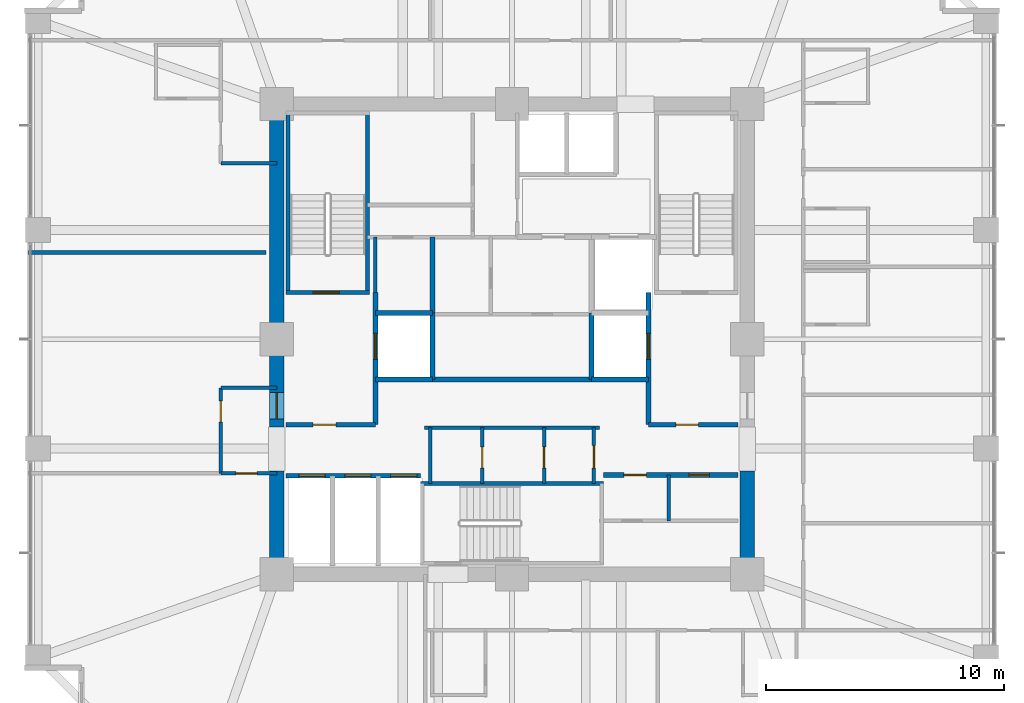
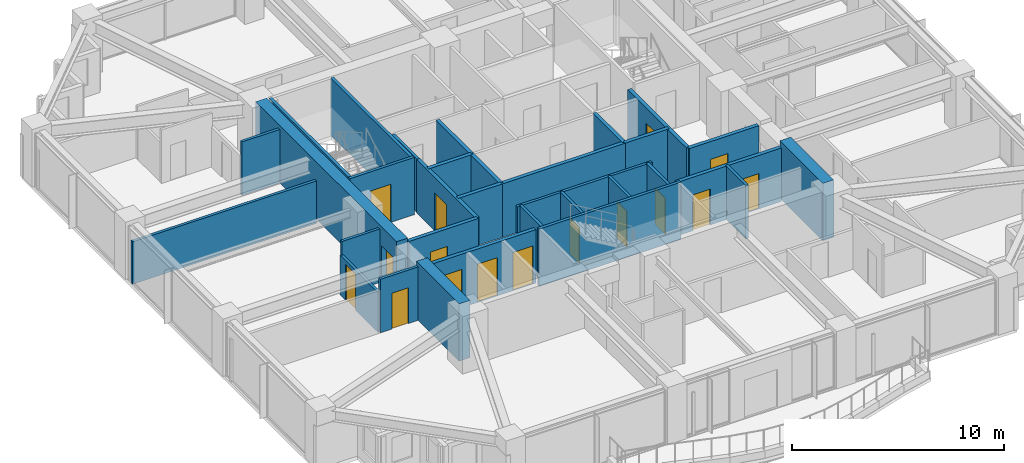
# One storey, part 33 of 38: 32 walls, 16 doors, 16 openings.
"""IFC4 building model written with IfcOpenShell, lengths in metres."""

from ifc_helpers import new_model, si_unit, direction, frame, frame_2d, origin, place, context, subcontext, project, spatial, rectangle, extrude, material, layer, layer_set, type_object, element, fill, save


model = new_model("IFC4")

# Units and contexts
model_context = context("Model", 3, precision=1e-05, world=origin(), true_north=direction((0.0, 1.0)))
body_context = subcontext(model_context, "Body", "Model", "MODEL_VIEW")
ifc_project = project(units=[si_unit("LENGTHUNIT", "METRE"), si_unit("AREAUNIT", "SQUARE_METRE"), si_unit("VOLUMEUNIT", "CUBIC_METRE"), si_unit("PLANEANGLEUNIT", "RADIAN"), si_unit("MASSUNIT", "GRAM", prefix="KILO")], contexts=[model_context])

# Site, building, storey
site_placement = place(None, origin())
site = spatial("IfcSite", under=ifc_project, at=site_placement, CompositionType="ELEMENT")
building_placement = place(site_placement, origin())
building = spatial("IfcBuilding", under=site, at=building_placement, Name="Kolvaren Belvedere", CompositionType="ELEMENT")
storey_placement = place(building_placement, frame((0.0, 0.0, 98.60009765625)))
storey = spatial("IfcBuildingStorey", under=building, at=storey_placement, Name="L28", CompositionType="ELEMENT", Elevation=98.60009765625)

# Walls
ifc_material_1 = material(Name="Concrete C60/75", Category="concrete")
ifc_layer_1 = layer(ifc_material_1, 0.60009765625)
ifc_layer_set_1 = layer_set([ifc_layer_1], Name="Concrete C60/75")
wall_type_1 = type_object("IfcWallType", Name="CW-CORE-600", PredefinedType="SHEAR", material=ifc_layer_set_1)
for number, where, z_axis, x_axis, name in (
    (1, (-9.89990234375, -9.60009765625, 0.0), (0.0, 0.0, 1.0), (0.0, 1.0, 0.0), "L28 West Core Shear Wall 1"),
    (2, (9.89990234375, -9.60009765625, 0.0), (0.0, 0.0, 1.0), (0.0, 1.0, 0.0), "L28 East Core Shear Wall 1"),
):
    element("IfcWall", number, at=place(storey_placement, frame(where, z_axis=z_axis, x_axis=x_axis)), inside=storey, type_object=wall_type_1, Name=name, PredefinedType="SHEAR", context=body_context, shape_type="SweptSolid", body=[
        extrude(rectangle(XDim=4.050048828125, YDim=0.60009765625, at=frame_2d((2.02490234375, 0.0))), origin(), (0.0, 0.0, 1.0), 3.2998046875),
    ])

# Wall, opening, door
wall_1_placement = place(storey_placement, frame((-9.89990234375, -3.699951171875, 0.0), z_axis=(0.0, 0.0, 1.0), x_axis=(0.0, 1.0, 0.0)))
wall_1 = element("IfcWall", 3, at=wall_1_placement, inside=storey, type_object=wall_type_1, Name="L28 West Core Shear Wall 2", PredefinedType="SHEAR", context=body_context, shape_type="SweptSolid", body=[
    extrude(rectangle(XDim=13.300048828125, YDim=0.60009765625, at=frame_2d((6.64990234375, 0.0))), origin(), (0.0, 0.0, 1.0), 3.2998046875),
])
opening_1_placement = place(wall_1_placement, frame((0.35009765625, 0.0, 0.0)))
opening_1 = element("IfcOpeningElement", 4, at=opening_1_placement, cuts=wall_1, Name="Opening D-FD90", PredefinedType="OPENING", context=body_context, shape_type="SweptSolid", body=[
    extrude(rectangle(XDim=1.10009765625, YDim=2.199951171875, at=frame_2d((0.550048828125, 1.10009765625))), frame((0.0, 0.31005859375, 0.0), z_axis=(0.0, -1.0, 0.0), x_axis=(1.0, 0.0, 0.0)), (0.0, 0.0, 1.0), 0.6201171875),
])
ifc_material_2 = material(Name="Painted hollow stainless steel", Category="steel")
door_type_1 = type_object("IfcDoorType", Name="DR-FD90-1100", OperationType="NOTDEFINED", PredefinedType="DOOR", material=ifc_material_2)
door_1_placement = place(opening_1_placement, origin())
door_1 = element("IfcDoor", 5, at=door_1_placement, inside=storey, type_object=door_type_1, Name="L28 West Firefighting Lobby Fire Door", OperationType="SINGLE_SWING_LEFT", OverallHeight=2.199951171875, OverallWidth=1.10009765625, PredefinedType="DOOR", context=body_context, shape_type="SweptSolid", body=[
    extrude(rectangle(XDim=1.10009765625, YDim=2.199951171875, at=frame_2d((0.550048828125, 1.10009765625))), frame((0.0, 0.02490234375, 0.0), z_axis=(0.0, -1.0, 0.0), x_axis=(1.0, 0.0, 0.0)), (0.0, 0.0, 1.0), 0.050048828125),
])
fill(opening_1, door_1)

ifc_material_3 = material(Name="Concrete C50/60", Category="concrete")
ifc_layer_2 = layer(ifc_material_3, 0.159912109375)
ifc_layer_set_2 = layer_set([ifc_layer_2], Name="Concrete C50/60")
wall_type_2 = type_object("IfcWallType", Name="CW-STAIR-160", PredefinedType="SHEAR", material=ifc_layer_set_2)
wall_2_placement = place(storey_placement, frame((-9.52001953125, 1.969970703125, 0.0), z_axis=(0.0, 0.0, 1.0), x_axis=(1.0, 0.0, 0.0)))
wall_2 = element("IfcWall", 6, at=wall_2_placement, inside=storey, type_object=wall_type_2, Name="L28 Stair ST-1 South Shear Wall", PredefinedType="SHEAR", context=body_context, shape_type="SweptSolid", body=[
    extrude(rectangle(XDim=3.52001953125, YDim=0.159912109375, at=frame_2d((1.760009765625, 0.0))), origin(), (0.0, 0.0, 1.0), 3.2998046875),
])
opening_2_placement = place(wall_2_placement, frame((1.14990234375, 0.0, 0.0)))
opening_2 = element("IfcOpeningElement", 7, at=opening_2_placement, cuts=wall_2, Name="Opening D-FD90", PredefinedType="OPENING", context=body_context, shape_type="SweptSolid", body=[
    extrude(rectangle(XDim=1.10009765625, YDim=2.199951171875, at=frame_2d((0.550048828125, 1.10009765625))), frame((0.0, 0.08984375, 0.0), z_axis=(0.0, -1.0, 0.0), x_axis=(1.0, 0.0, 0.0)), (0.0, 0.0, 1.0), 0.179931640625),
])
door_2_placement = place(opening_2_placement, origin())
door_2 = element("IfcDoor", 8, at=door_2_placement, inside=storey, type_object=door_type_1, Name="L28 Stair ST-1 Fire Door", OperationType="SINGLE_SWING_LEFT", OverallHeight=2.199951171875, OverallWidth=1.10009765625, PredefinedType="DOOR", context=body_context, shape_type="SweptSolid", body=[
    extrude(rectangle(XDim=1.10009765625, YDim=2.199951171875, at=frame_2d((0.550048828125, 1.10009765625))), frame((0.0, 0.02490234375, 0.0), z_axis=(0.0, -1.0, 0.0), x_axis=(1.0, 0.0, 0.0)), (0.0, 0.0, 1.0), 0.050048828125),
])
fill(opening_2, door_2)

# Walls
for number, where, z_axis, x_axis, name in (
    (9, (-9.429931640625, 1.969970703125, 0.0), (0.0, 0.0, 1.0), (0.0, 1.0, 0.0), "L28 Stair ST-1 West Shear Wall"),
    (10, (-6.080078125, 1.969970703125, 0.0), (0.0, 0.0, 1.0), (0.0, 1.0, 0.0), "L28 Stair ST-1 East Shear Wall"),
):
    element("IfcWall", number, at=place(storey_placement, frame(where, z_axis=z_axis, x_axis=x_axis)), inside=storey, type_object=wall_type_2, Name=name, PredefinedType="SHEAR", context=body_context, shape_type="SweptSolid", body=[
        extrude(rectangle(XDim=7.56005859375, YDim=0.159912109375, at=frame_2d((3.780029296875, 0.0))), origin(), (0.0, 0.0, 1.0), 3.2998046875),
    ])
wall_3_placement = place(storey_placement, frame((-3.860107421875, -6.080078125, 0.0), z_axis=(0.0, 0.0, 1.0), x_axis=(1.0, 0.0, 0.0)))
element("IfcWall", 11, at=wall_3_placement, inside=storey, type_object=wall_type_2, Name="L28 Stair ST-3 North Shear Wall", PredefinedType="SHEAR", context=body_context, shape_type="SweptSolid", body=[
    extrude(rectangle(XDim=7.72021484375, YDim=0.159912109375, at=frame_2d((3.860107421875, 0.0))), origin(), (0.0, 0.0, 1.0), 3.2998046875),
])
ifc_material_4 = material(Name="Gypsum fire-rated partition assembly", Category="gypsum")
ifc_layer_3 = layer(ifc_material_4, 0.14990234375)
ifc_layer_set_3 = layer_set([ifc_layer_3], Name="Gypsum fire-rated partition assembly")
wall_type_3 = type_object("IfcWallType", Name="WL-CORR-150", PredefinedType="PARTITIONING", material=ifc_layer_set_3)
wall_4_placement = place(storey_placement, frame((-12.260009765625, 7.39990234375, 0.0), z_axis=(0.0, 0.0, 1.0), x_axis=(1.0, 0.0, 0.0)))
element("IfcWall", 12, at=wall_4_placement, inside=storey, type_object=wall_type_3, Name="L28 NW Core Closure Wall", PredefinedType="PARTITIONING", context=body_context, shape_type="SweptSolid", body=[
    extrude(rectangle(XDim=2.360107421875, YDim=0.14990234375, at=frame_2d((1.18017578125, 0.0))), origin(), (0.0, 0.0, 1.0), 3.079833984375),
])

# Wall, opening, door
wall_5_placement = place(storey_placement, frame((-12.260009765625, -5.64990234375, 0.0), z_axis=(0.0, 0.0, 1.0), x_axis=(0.0, 1.0, 0.0)))
wall_5 = element("IfcWall", 13, at=wall_5_placement, inside=storey, type_object=wall_type_3, Name="L28 West FSAE Pocket Wall", PredefinedType="PARTITIONING", context=body_context, shape_type="SweptSolid", body=[
    extrude(rectangle(XDim=3.599853515625, YDim=0.14990234375, at=frame_2d((1.7998046875, 0.0))), origin(), (0.0, 0.0, 1.0), 2.2919921875),
])
opening_3_placement = place(wall_5_placement, frame((2.15625, 0.0, 0.0)))
opening_3 = element("IfcOpeningElement", 14, at=opening_3_placement, cuts=wall_5, Name="Opening D-INT90", PredefinedType="OPENING", context=body_context, shape_type="SweptSolid", body=[
    extrude(rectangle(XDim=0.89990234375, YDim=2.06005859375, at=frame_2d((0.449951171875, 1.030029296875))), frame((0.0, 0.0849609375, 0.0), z_axis=(0.0, -1.0, 0.0), x_axis=(1.0, 0.0, 0.0)), (0.0, 0.0, 1.0), 0.169921875),
])
ifc_material_5 = material(Name="Stained Pacific white oak", Category="timber")
door_type_2 = type_object("IfcDoorType", Name="DR-INT-900", OperationType="NOTDEFINED", PredefinedType="DOOR", material=ifc_material_5)
door_3_placement = place(opening_3_placement, origin())
door_3 = element("IfcDoor", 15, at=door_3_placement, inside=storey, type_object=door_type_2, Name="L28 Lounge 2810 Door", OperationType="SINGLE_SWING_RIGHT", OverallHeight=2.06005859375, OverallWidth=0.89990234375, PredefinedType="DOOR", context=body_context, shape_type="SweptSolid", body=[
    extrude(rectangle(XDim=0.89990234375, YDim=2.06005859375, at=frame_2d((0.449951171875, 1.030029296875))), frame((0.0, 0.02490234375, 0.0), z_axis=(0.0, -1.0, 0.0), x_axis=(1.0, 0.0, 0.0)), (0.0, 0.0, 1.0), 0.050048828125),
])
fill(opening_3, door_3)

# Wall
wall_6_placement = place(storey_placement, frame((-12.260009765625, -2.050048828125, 0.0), z_axis=(0.0, 0.0, 1.0), x_axis=(1.0, 0.0, 0.0)))
element("IfcWall", 16, at=wall_6_placement, inside=storey, type_object=wall_type_3, Name="L28 West Pocket North Closure Wall", PredefinedType="PARTITIONING", context=body_context, shape_type="SweptSolid", body=[
    extrude(rectangle(XDim=2.360107421875, YDim=0.14990234375, at=frame_2d((1.18017578125, 0.0))), origin(), (0.0, 0.0, 1.0), 3.079833984375),
])

# Wall, opening, door
wall_7_placement = place(storey_placement, frame((-12.260009765625, -5.64990234375, 0.0), z_axis=(0.0, 0.0, 1.0), x_axis=(1.0, 0.0, 0.0)))
wall_7 = element("IfcWall", 17, at=wall_7_placement, inside=storey, type_object=wall_type_3, Name="L28 West Pocket South Closure Wall", PredefinedType="PARTITIONING", context=body_context, shape_type="SweptSolid", body=[
    extrude(rectangle(XDim=2.360107421875, YDim=0.14990234375, at=frame_2d((1.18017578125, 0.0))), origin(), (0.0, 0.0, 1.0), 3.079833984375),
])
opening_4_placement = place(wall_7_placement, frame((0.631591796875, 0.0, 0.0)))
opening_4 = element("IfcOpeningElement", 18, at=opening_4_placement, cuts=wall_7, Name="Opening D-INT90", PredefinedType="OPENING", context=body_context, shape_type="SweptSolid", body=[
    extrude(rectangle(XDim=0.89990234375, YDim=2.06005859375, at=frame_2d((0.449951171875, 1.030029296875))), frame((0.0, 0.0849609375, 0.0), z_axis=(0.0, -1.0, 0.0), x_axis=(1.0, 0.0, 0.0)), (0.0, 0.0, 1.0), 0.169921875),
])
door_4_placement = place(opening_4_placement, origin())
door_4 = element("IfcDoor", 19, at=door_4_placement, inside=storey, type_object=door_type_2, Name="L28 Lounge 2811 Door", OperationType="SINGLE_SWING_LEFT", OverallHeight=2.06005859375, OverallWidth=0.89990234375, PredefinedType="DOOR", context=body_context, shape_type="SweptSolid", body=[
    extrude(rectangle(XDim=0.89990234375, YDim=2.06005859375, at=frame_2d((0.449951171875, 1.030029296875))), frame((0.0, 0.02490234375, 0.0), z_axis=(0.0, -1.0, 0.0), x_axis=(1.0, 0.0, 0.0)), (0.0, 0.0, 1.0), 0.050048828125),
])
fill(opening_4, door_4)

# Walls
ifc_material_6 = material(Name="Gypsum acoustic partition assembly", Category="gypsum")
ifc_layer_4 = layer(ifc_material_6, 0.14990234375)
ifc_layer_set_4 = layer_set([ifc_layer_4], Name="Gypsum acoustic partition assembly")
wall_type_4 = type_object("IfcWallType", Name="WL-PART-150", PredefinedType="PARTITIONING", material=ifc_layer_set_4)
wall_8_placement = place(storey_placement, frame((6.60009765625, -7.64990234375, 0.0), z_axis=(0.0, 0.0, 1.0), x_axis=(0.0, 1.0, 0.0)))
element("IfcWall", 20, at=wall_8_placement, inside=storey, type_object=wall_type_4, Name="L28 SE Core V-Divider", PredefinedType="PARTITIONING", context=body_context, shape_type="SweptSolid", body=[
    extrude(rectangle(XDim=1.929931640625, YDim=0.14990234375, at=frame_2d((0.96484375, 0.0))), origin(), (0.0, 0.0, 1.0), 3.079833984375),
])
wall_9_placement = place(storey_placement, frame((-3.679931640625, -3.719970703125, 0.0), z_axis=(0.0, 0.0, 1.0), x_axis=(1.0, 0.0, 0.0)))
element("IfcWall", 21, at=wall_9_placement, inside=storey, type_object=wall_type_4, Name="L28 South Core Service North Wall", PredefinedType="PARTITIONING", context=body_context, shape_type="SweptSolid", body=[
    extrude(rectangle(XDim=7.35986328125, YDim=0.14990234375, at=frame_2d((3.679931640625, 0.0))), origin(), (0.0, 0.0, 1.0), 3.079833984375),
])

# Wall, opening, door
wall_10_placement = place(storey_placement, frame((3.449951171875, -6.080078125, 0.0), z_axis=(0.0, 0.0, 1.0), x_axis=(0.0, 1.0, 0.0)))
wall_10 = element("IfcWall", 22, at=wall_10_placement, inside=storey, type_object=wall_type_4, Name="L28 South Core Service East Wall", PredefinedType="PARTITIONING", context=body_context, shape_type="SweptSolid", body=[
    extrude(rectangle(XDim=2.360107421875, YDim=0.14990234375, at=frame_2d((1.18017578125, 0.0))), origin(), (0.0, 0.0, 1.0), 3.079833984375),
])
opening_5_placement = place(wall_10_placement, frame((0.64990234375, 0.0, 0.0)))
opening_5 = element("IfcOpeningElement", 23, at=opening_5_placement, cuts=wall_10, Name="Opening D-FD60", PredefinedType="OPENING", context=body_context, shape_type="SweptSolid", body=[
    extrude(rectangle(XDim=0.949951171875, YDim=2.06005859375, at=frame_2d((0.47509765625, 1.030029296875))), frame((0.0, 0.0849609375, 0.0), z_axis=(0.0, -1.0, 0.0), x_axis=(1.0, 0.0, 0.0)), (0.0, 0.0, 1.0), 0.169921875),
])
ifc_material_7 = material(Name="Acoustic white-oak fire door leaf", Category="timber")
door_type_3 = type_object("IfcDoorType", Name="DR-FD60-950", OperationType="NOTDEFINED", PredefinedType="DOOR", material=ifc_material_7)
door_5_placement = place(opening_5_placement, origin())
door_5 = element("IfcDoor", 24, at=door_5_placement, inside=storey, type_object=door_type_3, Name="L28 Core Service Room Door", OperationType="SINGLE_SWING_LEFT", OverallHeight=2.06005859375, OverallWidth=0.949951171875, PredefinedType="DOOR", context=body_context, shape_type="SweptSolid", body=[
    extrude(rectangle(XDim=0.949951171875, YDim=2.06005859375, at=frame_2d((0.47509765625, 1.030029296875))), frame((0.0, 0.02490234375, 0.0), z_axis=(0.0, -1.0, 0.0), x_axis=(1.0, 0.0, 0.0)), (0.0, 0.0, 1.0), 0.050048828125),
])
fill(opening_5, door_5)

# Wall
wall_11_placement = place(storey_placement, frame((-3.449951171875, -6.080078125, 0.0), z_axis=(0.0, 0.0, 1.0), x_axis=(0.0, 1.0, 0.0)))
element("IfcWall", 25, at=wall_11_placement, inside=storey, type_object=wall_type_4, Name="L28 South Core Service West Wall", PredefinedType="PARTITIONING", context=body_context, shape_type="SweptSolid", body=[
    extrude(rectangle(XDim=2.360107421875, YDim=0.14990234375, at=frame_2d((1.18017578125, 0.0))), origin(), (0.0, 0.0, 1.0), 3.079833984375),
])

# Wall, opening, door
wall_12_placement = place(storey_placement, frame((1.35009765625, -6.080078125, 0.0), z_axis=(0.0, 0.0, 1.0), x_axis=(0.0, 1.0, 0.0)))
wall_12 = element("IfcWall", 26, at=wall_12_placement, inside=storey, type_object=wall_type_4, Name="L28 Core Service Divider 1", PredefinedType="PARTITIONING", context=body_context, shape_type="SweptSolid", body=[
    extrude(rectangle(XDim=2.360107421875, YDim=0.14990234375, at=frame_2d((1.18017578125, 0.0))), origin(), (0.0, 0.0, 1.0), 3.079833984375),
])
opening_6_placement = place(wall_12_placement, frame((0.64990234375, 0.0, 0.0)))
opening_6 = element("IfcOpeningElement", 27, at=opening_6_placement, cuts=wall_12, Name="Opening D-INT90", PredefinedType="OPENING", context=body_context, shape_type="SweptSolid", body=[
    extrude(rectangle(XDim=0.89990234375, YDim=2.06005859375, at=frame_2d((0.449951171875, 1.030029296875))), frame((0.0, 0.0849609375, 0.0), z_axis=(0.0, -1.0, 0.0), x_axis=(1.0, 0.0, 0.0)), (0.0, 0.0, 1.0), 0.169921875),
])
door_6_placement = place(opening_6_placement, origin())
door_6 = element("IfcDoor", 28, at=door_6_placement, inside=storey, type_object=door_type_2, Name="L28 Data Closet Door", OperationType="SINGLE_SWING_RIGHT", OverallHeight=2.06005859375, OverallWidth=0.89990234375, PredefinedType="DOOR", context=body_context, shape_type="SweptSolid", body=[
    extrude(rectangle(XDim=0.89990234375, YDim=2.06005859375, at=frame_2d((0.449951171875, 1.030029296875))), frame((0.0, 0.02490234375, 0.0), z_axis=(0.0, -1.0, 0.0), x_axis=(1.0, 0.0, 0.0)), (0.0, 0.0, 1.0), 0.050048828125),
])
fill(opening_6, door_6)

wall_13_placement = place(storey_placement, frame((-1.25, -6.080078125, 0.0), z_axis=(0.0, 0.0, 1.0), x_axis=(0.0, 1.0, 0.0)))
wall_13 = element("IfcWall", 29, at=wall_13_placement, inside=storey, type_object=wall_type_4, Name="L28 Core Service Divider 2", PredefinedType="PARTITIONING", context=body_context, shape_type="SweptSolid", body=[
    extrude(rectangle(XDim=2.360107421875, YDim=0.14990234375, at=frame_2d((1.18017578125, 0.0))), origin(), (0.0, 0.0, 1.0), 3.079833984375),
])
opening_7_placement = place(wall_13_placement, frame((0.64990234375, 0.0, 0.0)))
opening_7 = element("IfcOpeningElement", 30, at=opening_7_placement, cuts=wall_13, Name="Opening D-INT90", PredefinedType="OPENING", context=body_context, shape_type="SweptSolid", body=[
    extrude(rectangle(XDim=0.89990234375, YDim=2.06005859375, at=frame_2d((0.449951171875, 1.030029296875))), frame((0.0, 0.0849609375, 0.0), z_axis=(0.0, -1.0, 0.0), x_axis=(1.0, 0.0, 0.0)), (0.0, 0.0, 1.0), 0.169921875),
])
door_7_placement = place(opening_7_placement, origin())
door_7 = element("IfcDoor", 31, at=door_7_placement, inside=storey, type_object=door_type_2, Name="L28 Janitor Room Door", OperationType="SINGLE_SWING_LEFT", OverallHeight=2.06005859375, OverallWidth=0.89990234375, PredefinedType="DOOR", context=body_context, shape_type="SweptSolid", body=[
    extrude(rectangle(XDim=0.89990234375, YDim=2.06005859375, at=frame_2d((0.449951171875, 1.030029296875))), frame((0.0, 0.02490234375, 0.0), z_axis=(0.0, -1.0, 0.0), x_axis=(1.0, 0.0, 0.0)), (0.0, 0.0, 1.0), 0.050048828125),
])
fill(opening_7, door_7)

# Walls
wall_14_placement = place(storey_placement, frame((-5.75, 1.969970703125, 0.0), z_axis=(0.0, 0.0, 1.0), x_axis=(0.0, 1.0, 0.0)))
element("IfcWall", 32, at=wall_14_placement, inside=storey, type_object=wall_type_4, Name="L28 NW Service Room West Wall", PredefinedType="PARTITIONING", context=body_context, shape_type="SweptSolid", body=[
    extrude(rectangle(XDim=2.330078125, YDim=0.14990234375, at=frame_2d((1.1650390625, 0.0))), origin(), (0.0, 0.0, 1.0), 3.079833984375),
])
wall_15_placement = place(storey_placement, frame((-20.3798828125, 3.64990234375, 0.0), z_axis=(0.0, 0.0, 1.0), x_axis=(1.0, 0.0, 0.0)))
element("IfcWall", 33, at=wall_15_placement, inside=storey, type_object=wall_type_4, Name="L28 West Upper Suite Divider", PredefinedType="PARTITIONING", context=body_context, shape_type="SweptSolid", body=[
    extrude(rectangle(XDim=10.019775390625, YDim=0.14990234375, at=frame_2d((5.009765625, 0.0))), origin(), (0.0, 0.0, 1.0), 2.448974609375),
])

# Wall, opening, door
ifc_material_8 = material(Name="Concrete C50/60", Category="concrete")
ifc_layer_5 = layer(ifc_material_8, 0.199951171875)
ifc_layer_set_5 = layer_set([ifc_layer_5], Name="Concrete C50/60")
wall_type_5 = type_object("IfcWallType", Name="WL-SHAFT-200", PredefinedType="SOLIDWALL", material=ifc_layer_set_5)
wall_16_placement = place(storey_placement, frame((-9.52001953125, -3.60009765625, 0.0), z_axis=(0.0, 0.0, 1.0), x_axis=(1.0, 0.0, 0.0)))
wall_16 = element("IfcWall", 34, at=wall_16_placement, inside=storey, type_object=wall_type_5, Name="L28 West FSAE Lobby South Wall", PredefinedType="SOLIDWALL", context=body_context, shape_type="SweptSolid", body=[
    extrude(rectangle(XDim=3.77001953125, YDim=0.199951171875, at=frame_2d((1.885009765625, 0.0))), origin(), (0.0, 0.0, 1.0), 3.079833984375),
])
opening_8_placement = place(wall_16_placement, frame((1.14990234375, 0.0, 0.0)))
opening_8 = element("IfcOpeningElement", 35, at=opening_8_placement, cuts=wall_16, Name="Opening D-FD60", PredefinedType="OPENING", context=body_context, shape_type="SweptSolid", body=[
    extrude(rectangle(XDim=0.949951171875, YDim=2.06005859375, at=frame_2d((0.47509765625, 1.030029296875))), frame((0.0, 0.10986328125, 0.0), z_axis=(0.0, -1.0, 0.0), x_axis=(1.0, 0.0, 0.0)), (0.0, 0.0, 1.0), 0.219970703125),
])
door_8_placement = place(opening_8_placement, origin())
door_8 = element("IfcDoor", 36, at=door_8_placement, inside=storey, type_object=door_type_3, Name="L28 Mid-Rise Lift Lobby Fire Door", OperationType="SINGLE_SWING_LEFT", OverallHeight=2.06005859375, OverallWidth=0.949951171875, PredefinedType="DOOR", context=body_context, shape_type="SweptSolid", body=[
    extrude(rectangle(XDim=0.949951171875, YDim=2.06005859375, at=frame_2d((0.47509765625, 1.030029296875))), frame((0.0, 0.02490234375, 0.0), z_axis=(0.0, -1.0, 0.0), x_axis=(1.0, 0.0, 0.0)), (0.0, 0.0, 1.0), 0.050048828125),
])
fill(opening_8, door_8)

wall_17_placement = place(storey_placement, frame((-5.75, -3.60009765625, 0.0), z_axis=(0.0, 0.0, 1.0), x_axis=(0.0, 1.0, 0.0)))
wall_17 = element("IfcWall", 37, at=wall_17_placement, inside=storey, type_object=wall_type_5, Name="L28 FSAE FS1 Landing Wall", PredefinedType="SOLIDWALL", context=body_context, shape_type="SweptSolid", body=[
    extrude(rectangle(XDim=5.570068359375, YDim=0.199951171875, at=frame_2d((2.78515625, 0.0))), origin(), (0.0, 0.0, 1.0), 3.079833984375),
])
opening_9_placement = place(wall_17_placement, frame((2.75, 0.0, 0.0)))
opening_9 = element("IfcOpeningElement", 38, at=opening_9_placement, cuts=wall_17, Name="Opening LD-11", PredefinedType="OPENING", context=body_context, shape_type="SweptSolid", body=[
    extrude(rectangle(XDim=1.10009765625, YDim=2.199951171875, at=frame_2d((0.550048828125, 1.10009765625))), frame((0.0, 0.10986328125, 0.0), z_axis=(0.0, -1.0, 0.0), x_axis=(1.0, 0.0, 0.0)), (0.0, 0.0, 1.0), 0.219970703125),
])
ifc_material_9 = material(Name="Brushed stainless steel", Category="steel")
door_type_4 = type_object("IfcDoorType", Name="DR-LIFT-1100", OperationType="DOUBLE_DOOR_SLIDING", PredefinedType="DOOR", material=ifc_material_9)
door_9_placement = place(opening_9_placement, origin())
door_9 = element("IfcDoor", 39, at=door_9_placement, inside=storey, type_object=door_type_4, Name="L28 Firefighting Lift FS1 Landing Door", OperationType="DOUBLE_DOOR_SLIDING", OverallHeight=2.199951171875, OverallWidth=1.10009765625, PredefinedType="DOOR", context=body_context, shape_type="SweptSolid", body=[
    extrude(rectangle(XDim=1.10009765625, YDim=2.199951171875, at=frame_2d((0.550048828125, 1.10009765625))), frame((0.0, 0.02490234375, 0.0), z_axis=(0.0, -1.0, 0.0), x_axis=(1.0, 0.0, 0.0)), (0.0, 0.0, 1.0), 0.050048828125),
])
fill(opening_9, door_9)

# Walls
wall_18_placement = place(storey_placement, frame((-3.35009765625, -1.699951171875, 0.0), z_axis=(0.0, 0.0, 1.0), x_axis=(0.0, 1.0, 0.0)))
element("IfcWall", 40, at=wall_18_placement, inside=storey, type_object=wall_type_5, Name="L28 FSAE FS1 Back Wall", PredefinedType="SOLIDWALL", context=body_context, shape_type="SweptSolid", body=[
    extrude(rectangle(XDim=2.800048828125, YDim=0.199951171875, at=frame_2d((1.39990234375, 0.0))), origin(), (0.0, 0.0, 1.0), 3.079833984375),
])
for number, where, z_axis, x_axis, name in (
    (41, (-5.75, -1.699951171875, 0.0), (0.0, 0.0, 1.0), (1.0, 0.0, 0.0), "L28 FSAE FS1 South Wall"),
    (42, (-5.75, 1.10009765625, 0.0), (0.0, 0.0, 1.0), (1.0, 0.0, 0.0), "L28 FSAE FS1 North Wall"),
):
    element("IfcWall", number, at=place(storey_placement, frame(where, z_axis=z_axis, x_axis=x_axis)), inside=storey, type_object=wall_type_5, Name=name, PredefinedType="SOLIDWALL", context=body_context, shape_type="SweptSolid", body=[
        extrude(rectangle(XDim=2.39990234375, YDim=0.199951171875, at=frame_2d((1.199951171875, 0.0))), origin(), (0.0, 0.0, 1.0), 3.079833984375),
    ])

# Wall, opening, door
wall_19_placement = place(storey_placement, frame((5.75, -3.60009765625, 0.0), z_axis=(0.0, 0.0, 1.0), x_axis=(1.0, 0.0, 0.0)))
wall_19 = element("IfcWall", 43, at=wall_19_placement, inside=storey, type_object=wall_type_5, Name="L28 East FSAE Lobby South Wall", PredefinedType="SOLIDWALL", context=body_context, shape_type="SweptSolid", body=[
    extrude(rectangle(XDim=3.77001953125, YDim=0.199951171875, at=frame_2d((1.885009765625, 0.0))), origin(), (0.0, 0.0, 1.0), 3.079833984375),
])
opening_10_placement = place(wall_19_placement, frame((1.14990234375, 0.0, 0.0)))
opening_10 = element("IfcOpeningElement", 44, at=opening_10_placement, cuts=wall_19, Name="Opening D-FD60", PredefinedType="OPENING", context=body_context, shape_type="SweptSolid", body=[
    extrude(rectangle(XDim=0.949951171875, YDim=2.06005859375, at=frame_2d((0.47509765625, 1.030029296875))), frame((0.0, 0.10986328125, 0.0), z_axis=(0.0, -1.0, 0.0), x_axis=(1.0, 0.0, 0.0)), (0.0, 0.0, 1.0), 0.219970703125),
])
door_10_placement = place(opening_10_placement, origin())
door_10 = element("IfcDoor", 45, at=door_10_placement, inside=storey, type_object=door_type_3, Name="L28 SE Lift Lobby Fire Door", OperationType="SINGLE_SWING_RIGHT", OverallHeight=2.06005859375, OverallWidth=0.949951171875, PredefinedType="DOOR", context=body_context, shape_type="SweptSolid", body=[
    extrude(rectangle(XDim=0.949951171875, YDim=2.06005859375, at=frame_2d((0.47509765625, 1.030029296875))), frame((0.0, 0.02490234375, 0.0), z_axis=(0.0, -1.0, 0.0), x_axis=(1.0, 0.0, 0.0)), (0.0, 0.0, 1.0), 0.050048828125),
])
fill(opening_10, door_10)

wall_20_placement = place(storey_placement, frame((5.75, -3.60009765625, 0.0), z_axis=(0.0, 0.0, 1.0), x_axis=(0.0, 1.0, 0.0)))
wall_20 = element("IfcWall", 46, at=wall_20_placement, inside=storey, type_object=wall_type_5, Name="L28 FSAE FS2 Landing Wall", PredefinedType="SOLIDWALL", context=body_context, shape_type="SweptSolid", body=[
    extrude(rectangle(XDim=5.570068359375, YDim=0.199951171875, at=frame_2d((2.78515625, 0.0))), origin(), (0.0, 0.0, 1.0), 3.079833984375),
])
opening_11_placement = place(wall_20_placement, frame((2.75, 0.0, 0.0)))
opening_11 = element("IfcOpeningElement", 47, at=opening_11_placement, cuts=wall_20, Name="Opening LD-11", PredefinedType="OPENING", context=body_context, shape_type="SweptSolid", body=[
    extrude(rectangle(XDim=1.10009765625, YDim=2.199951171875, at=frame_2d((0.550048828125, 1.10009765625))), frame((0.0, 0.10986328125, 0.0), z_axis=(0.0, -1.0, 0.0), x_axis=(1.0, 0.0, 0.0)), (0.0, 0.0, 1.0), 0.219970703125),
])
door_11_placement = place(opening_11_placement, origin())
door_11 = element("IfcDoor", 48, at=door_11_placement, inside=storey, type_object=door_type_4, Name="L28 Firefighting Lift FS2 Landing Door", OperationType="DOUBLE_DOOR_SLIDING", OverallHeight=2.199951171875, OverallWidth=1.10009765625, PredefinedType="DOOR", context=body_context, shape_type="SweptSolid", body=[
    extrude(rectangle(XDim=1.10009765625, YDim=2.199951171875, at=frame_2d((0.550048828125, 1.10009765625))), frame((0.0, 0.02490234375, 0.0), z_axis=(0.0, -1.0, 0.0), x_axis=(1.0, 0.0, 0.0)), (0.0, 0.0, 1.0), 0.050048828125),
])
fill(opening_11, door_11)

# Walls
wall_21_placement = place(storey_placement, frame((3.35009765625, -1.699951171875, 0.0), z_axis=(0.0, 0.0, 1.0), x_axis=(0.0, 1.0, 0.0)))
element("IfcWall", 49, at=wall_21_placement, inside=storey, type_object=wall_type_5, Name="L28 FSAE FS2 Back Wall", PredefinedType="SOLIDWALL", context=body_context, shape_type="SweptSolid", body=[
    extrude(rectangle(XDim=2.800048828125, YDim=0.199951171875, at=frame_2d((1.39990234375, 0.0))), origin(), (0.0, 0.0, 1.0), 3.079833984375),
])
wall_22_placement = place(storey_placement, frame((3.35009765625, -1.699951171875, 0.0), z_axis=(0.0, 0.0, 1.0), x_axis=(1.0, 0.0, 0.0)))
element("IfcWall", 50, at=wall_22_placement, inside=storey, type_object=wall_type_5, Name="L28 FSAE FS2 South Wall", PredefinedType="SOLIDWALL", context=body_context, shape_type="SweptSolid", body=[
    extrude(rectangle(XDim=2.39990234375, YDim=0.199951171875, at=frame_2d((1.199951171875, 0.0))), origin(), (0.0, 0.0, 1.0), 3.079833984375),
])

# Wall, openings, doors
wall_23_placement = place(storey_placement, frame((-9.52001953125, -5.75, 0.0), z_axis=(0.0, 0.0, 1.0), x_axis=(1.0, 0.0, 0.0)))
wall_23 = element("IfcWall", 51, at=wall_23_placement, inside=storey, type_object=wall_type_5, Name="L28 Mid-Rise Lift Bank Front Wall", PredefinedType="SOLIDWALL", context=body_context, shape_type="SweptSolid", body=[
    extrude(rectangle(XDim=5.659912109375, YDim=0.199951171875, at=frame_2d((2.830078125, 0.0))), origin(), (0.0, 0.0, 1.0), 3.079833984375),
])
opening_12_placement = place(wall_23_placement, frame((0.550048828125, 0.0, 0.0)))
opening_12 = element("IfcOpeningElement", 52, at=opening_12_placement, cuts=wall_23, Name="Opening LD-11", PredefinedType="OPENING", context=body_context, shape_type="SweptSolid", body=[
    extrude(rectangle(XDim=1.10009765625, YDim=2.199951171875, at=frame_2d((0.550048828125, 1.10009765625))), frame((0.0, 0.10986328125, 0.0), z_axis=(0.0, -1.0, 0.0), x_axis=(1.0, 0.0, 0.0)), (0.0, 0.0, 1.0), 0.219970703125),
])
opening_13_placement = place(wall_23_placement, frame((2.47998046875, 0.0, 0.0)))
opening_13 = element("IfcOpeningElement", 53, at=opening_13_placement, cuts=wall_23, Name="Opening LD-11", PredefinedType="OPENING", context=body_context, shape_type="SweptSolid", body=[
    extrude(rectangle(XDim=1.10009765625, YDim=2.199951171875, at=frame_2d((0.550048828125, 1.10009765625))), frame((0.0, 0.10986328125, 0.0), z_axis=(0.0, -1.0, 0.0), x_axis=(1.0, 0.0, 0.0)), (0.0, 0.0, 1.0), 0.219970703125),
])
opening_14_placement = place(wall_23_placement, frame((4.409912109375, 0.0, 0.0)))
opening_14 = element("IfcOpeningElement", 54, at=opening_14_placement, cuts=wall_23, Name="Opening LD-11", PredefinedType="OPENING", context=body_context, shape_type="SweptSolid", body=[
    extrude(rectangle(XDim=1.10009765625, YDim=2.199951171875, at=frame_2d((0.550048828125, 1.10009765625))), frame((0.0, 0.10986328125, 0.0), z_axis=(0.0, -1.0, 0.0), x_axis=(1.0, 0.0, 0.0)), (0.0, 0.0, 1.0), 0.219970703125),
])
door_12_placement = place(opening_12_placement, origin())
door_12 = element("IfcDoor", 55, at=door_12_placement, inside=storey, type_object=door_type_4, Name="L28 Passenger Lift P4 Landing Door", OperationType="DOUBLE_DOOR_SLIDING", OverallHeight=2.199951171875, OverallWidth=1.10009765625, PredefinedType="DOOR", context=body_context, shape_type="SweptSolid", body=[
    extrude(rectangle(XDim=1.10009765625, YDim=2.199951171875, at=frame_2d((0.550048828125, 1.10009765625))), frame((0.0, 0.02490234375, 0.0), z_axis=(0.0, -1.0, 0.0), x_axis=(1.0, 0.0, 0.0)), (0.0, 0.0, 1.0), 0.050048828125),
])
fill(opening_12, door_12)
door_13_placement = place(opening_13_placement, origin())
door_13 = element("IfcDoor", 56, at=door_13_placement, inside=storey, type_object=door_type_4, Name="L28 Passenger Lift P5 Landing Door", OperationType="DOUBLE_DOOR_SLIDING", OverallHeight=2.199951171875, OverallWidth=1.10009765625, PredefinedType="DOOR", context=body_context, shape_type="SweptSolid", body=[
    extrude(rectangle(XDim=1.10009765625, YDim=2.199951171875, at=frame_2d((0.550048828125, 1.10009765625))), frame((0.0, 0.02490234375, 0.0), z_axis=(0.0, -1.0, 0.0), x_axis=(1.0, 0.0, 0.0)), (0.0, 0.0, 1.0), 0.050048828125),
])
fill(opening_13, door_13)
door_14_placement = place(opening_14_placement, origin())
door_14 = element("IfcDoor", 57, at=door_14_placement, inside=storey, type_object=door_type_4, Name="L28 Passenger Lift P6 Landing Door", OperationType="DOUBLE_DOOR_SLIDING", OverallHeight=2.199951171875, OverallWidth=1.10009765625, PredefinedType="DOOR", context=body_context, shape_type="SweptSolid", body=[
    extrude(rectangle(XDim=1.10009765625, YDim=2.199951171875, at=frame_2d((0.550048828125, 1.10009765625))), frame((0.0, 0.02490234375, 0.0), z_axis=(0.0, -1.0, 0.0), x_axis=(1.0, 0.0, 0.0)), (0.0, 0.0, 1.0), 0.050048828125),
])
fill(opening_14, door_14)

wall_24_placement = place(storey_placement, frame((3.860107421875, -5.719970703125, 0.0), z_axis=(0.0, 0.0, 1.0), x_axis=(1.0, 0.0, 0.0)))
wall_24 = element("IfcWall", 58, at=wall_24_placement, inside=storey, type_object=wall_type_5, Name="L28 SE Core Distribution Wall", PredefinedType="SOLIDWALL", context=body_context, shape_type="SweptSolid", body=[
    extrude(rectangle(XDim=5.659912109375, YDim=0.199951171875, at=frame_2d((2.830078125, 0.0))), origin(), (0.0, 0.0, 1.0), 3.079833984375),
])
opening_15_placement = place(wall_24_placement, frame((0.85009765625, 0.0, 0.0)))
opening_15 = element("IfcOpeningElement", 59, at=opening_15_placement, cuts=wall_24, Name="Opening D-FD60", PredefinedType="OPENING", context=body_context, shape_type="SweptSolid", body=[
    extrude(rectangle(XDim=0.949951171875, YDim=2.06005859375, at=frame_2d((0.47509765625, 1.030029296875))), frame((0.0, 0.10986328125, 0.0), z_axis=(0.0, -1.0, 0.0), x_axis=(1.0, 0.0, 0.0)), (0.0, 0.0, 1.0), 0.219970703125),
])
opening_16_placement = place(wall_24_placement, frame((3.60009765625, 0.0, 0.0)))
opening_16 = element("IfcOpeningElement", 60, at=opening_16_placement, cuts=wall_24, Name="Opening D-INT85", PredefinedType="OPENING", context=body_context, shape_type="SweptSolid", body=[
    extrude(rectangle(XDim=0.85009765625, YDim=2.030029296875, at=frame_2d((0.425048828125, 1.01513671875))), frame((0.0, 0.10986328125, 0.0), z_axis=(0.0, -1.0, 0.0), x_axis=(1.0, 0.0, 0.0)), (0.0, 0.0, 1.0), 0.219970703125),
])
door_15_placement = place(opening_15_placement, origin())
door_15 = element("IfcDoor", 61, at=door_15_placement, inside=storey, type_object=door_type_3, Name="L28 SE Pantry Door", OperationType="SINGLE_SWING_RIGHT", OverallHeight=2.06005859375, OverallWidth=0.949951171875, PredefinedType="DOOR", context=body_context, shape_type="SweptSolid", body=[
    extrude(rectangle(XDim=0.949951171875, YDim=2.06005859375, at=frame_2d((0.47509765625, 1.030029296875))), frame((0.0, 0.02490234375, 0.0), z_axis=(0.0, -1.0, 0.0), x_axis=(1.0, 0.0, 0.0)), (0.0, 0.0, 1.0), 0.050048828125),
])
fill(opening_15, door_15)
ifc_material_10 = material(Name="Stained Pacific white oak", Category="timber")
door_type_5 = type_object("IfcDoorType", Name="DR-INT-850", OperationType="NOTDEFINED", PredefinedType="DOOR", material=ifc_material_10)
door_16_placement = place(opening_16_placement, origin())
door_16 = element("IfcDoor", 62, at=door_16_placement, inside=storey, type_object=door_type_5, Name="L28 SE Linen Door", OperationType="SINGLE_SWING_LEFT", OverallHeight=2.030029296875, OverallWidth=0.85009765625, PredefinedType="DOOR", context=body_context, shape_type="SweptSolid", body=[
    extrude(rectangle(XDim=0.85009765625, YDim=2.030029296875, at=frame_2d((0.425048828125, 1.01513671875))), frame((0.0, 0.02490234375, 0.0), z_axis=(0.0, -1.0, 0.0), x_axis=(1.0, 0.0, 0.0)), (0.0, 0.0, 1.0), 0.050048828125),
])
fill(opening_16, door_16)

# Walls
wall_25_placement = place(storey_placement, frame((-3.35009765625, -1.699951171875, 0.0), z_axis=(0.0, 0.0, 1.0), x_axis=(1.0, 0.0, 0.0)))
element("IfcWall", 63, at=wall_25_placement, inside=storey, type_object=wall_type_5, Name="L28 Central Core Room South Wall", PredefinedType="SOLIDWALL", context=body_context, shape_type="SweptSolid", body=[
    extrude(rectangle(XDim=6.7001953125, YDim=0.199951171875, at=frame_2d((3.35009765625, 0.0))), origin(), (0.0, 0.0, 1.0), 3.079833984375),
])
wall_26_placement = place(storey_placement, frame((-3.35009765625, 1.10009765625, 0.0), z_axis=(0.0, 0.0, 1.0), x_axis=(0.0, 1.0, 0.0)))
element("IfcWall", 64, at=wall_26_placement, inside=storey, type_object=wall_type_5, Name="L28 Central Core Room West Wall", PredefinedType="SOLIDWALL", context=body_context, shape_type="SweptSolid", body=[
    extrude(rectangle(XDim=3.199951171875, YDim=0.199951171875, at=frame_2d((1.60009765625, 0.0))), origin(), (0.0, 0.0, 1.0), 3.079833984375),
])

save(model, "model.ifc")
